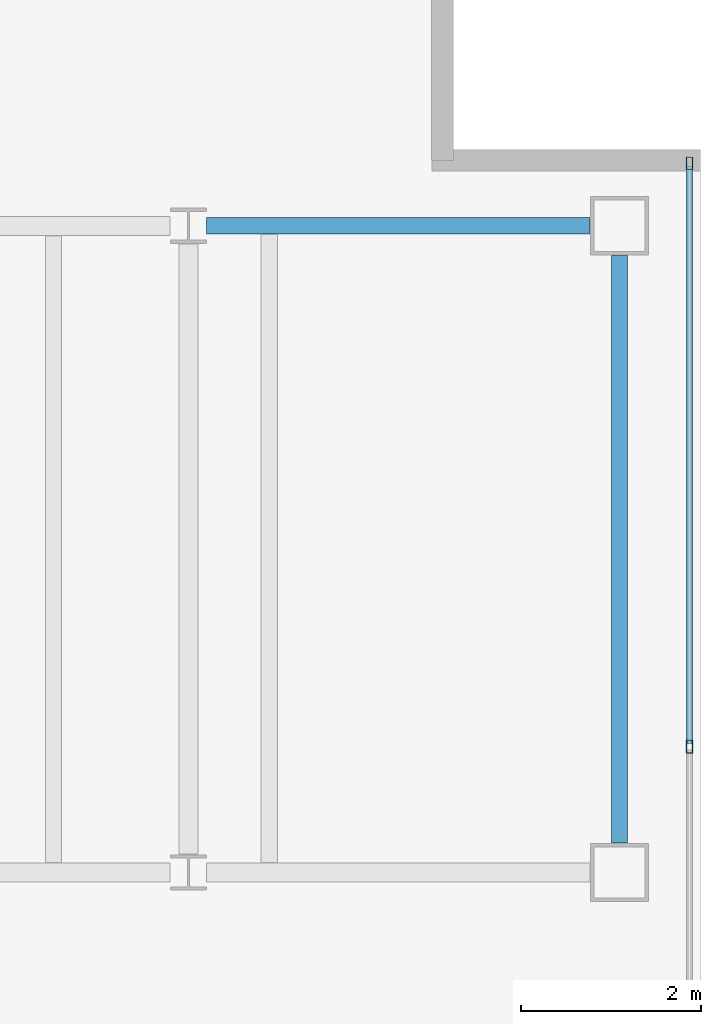
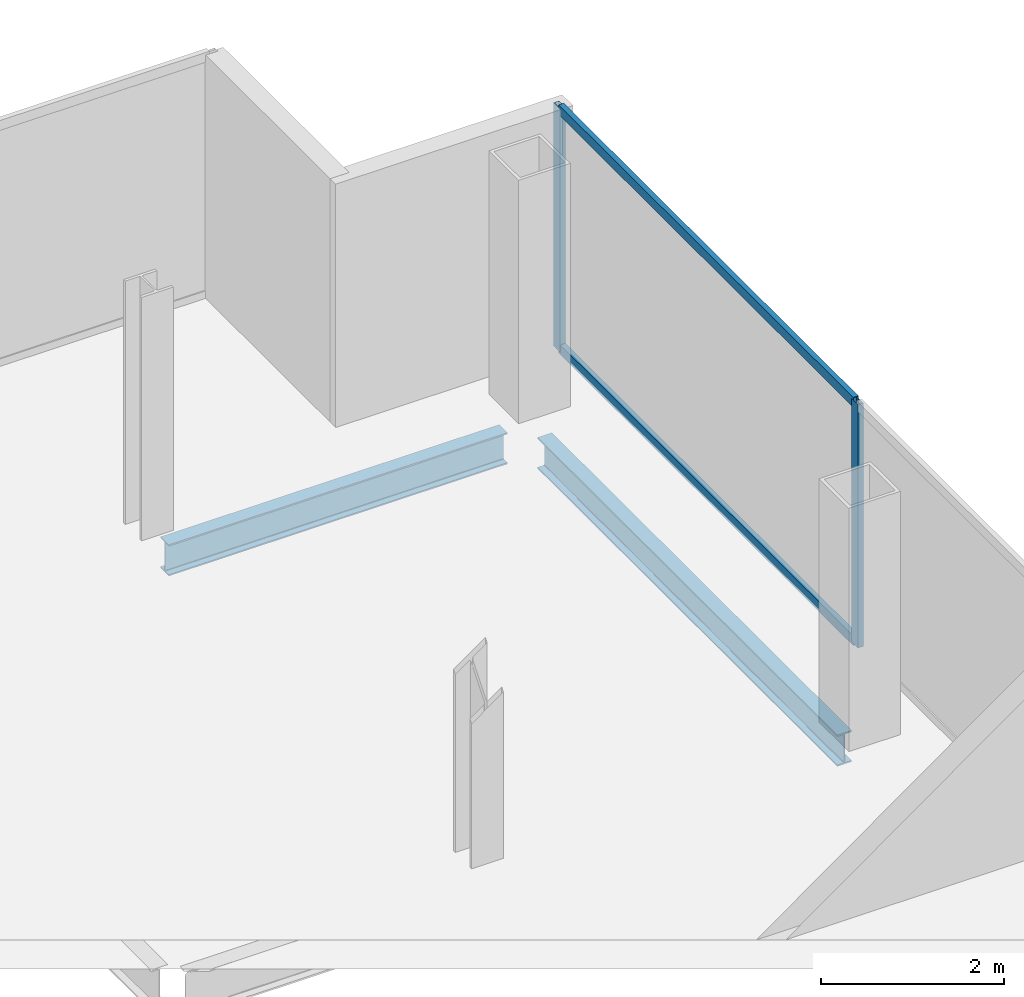
# One storey, part 16 of 24: 4 members, 2 beams, 1 element without a shape of its own.
"""IFC4 building model written with IfcOpenShell, lengths in metres."""

from ifc_helpers import new_model, si_unit, direction, frame, origin, origin_2d, place, context, subcontext, project, spatial, hollow_rectangle, i_section, extrude, material, material_profile, profile_set, type_object, element, aggregate, save


model = new_model("IFC4")

# Units and contexts
model_context = context("Model", 3, precision=1e-05, world=origin(), true_north=direction((0.0, 1.0)))
body_context = subcontext(model_context, "Body", "Model", "MODEL_VIEW")
ifc_project = project(units=[si_unit("LENGTHUNIT", "METRE"), si_unit("AREAUNIT", "SQUARE_METRE"), si_unit("VOLUMEUNIT", "CUBIC_METRE"), si_unit("PLANEANGLEUNIT", "RADIAN"), si_unit("MASSUNIT", "GRAM", prefix="KILO")], contexts=[model_context])

# Site, building, storey
site_placement = place(None, origin())
site = spatial("IfcSite", under=ifc_project, at=site_placement, CompositionType="ELEMENT")
building_placement = place(site_placement, origin())
building = spatial("IfcBuilding", under=site, at=building_placement, Name="Cobrela Telecom Tower", CompositionType="ELEMENT")
storey_placement = place(building_placement, frame((0.0, 0.0, 244.64990234375)))
storey = spatial("IfcBuildingStorey", under=building, at=storey_placement, Name="L63", CompositionType="ELEMENT", Elevation=244.64990234375)

# Beams
ifc_material_1 = material(Name="Steel ASTM A992 Grade 50", Category="steel")
ifc_material_profile_1 = material_profile(ifc_material_1, i_section(OverallWidth=0.179931640625, OverallDepth=0.4169921875, WebThickness=0.010986328125, FlangeThickness=0.01806640625, FilletRadius=0.011962890625, at=origin_2d()), Name="W16X57")
ifc_profile_set_1 = profile_set([ifc_material_profile_1], Name="Steel ASTM A992 Grade 50")
beam_type = type_object("IfcBeamType", Name="BM-SPAND-06", PredefinedType="SPANDREL", material=ifc_profile_set_1)
beam_1_placement = place(storey_placement, frame((40.1044921875, 21.60009765625, -0.468505859375), z_axis=(1.0, 0.0, 0.0), x_axis=(0.0, 1.0, 0.0)))
element("IfcBeam", 1, at=beam_1_placement, inside=storey, type_object=beam_type, Name="L63 Perimeter Spandrel X14", PredefinedType="SPANDREL", context=body_context, shape_type="SweptSolid", body=[
    extrude(i_section(OverallWidth=0.179931640625, OverallDepth=0.4169921875, WebThickness=0.010986328125, FlangeThickness=0.01806640625, FilletRadius=0.011962890625, at=origin_2d()), origin(), (0.0, 0.0, 1.0), 4.265625),
])
beam_2_placement = place(storey_placement, frame((44.699951171875, 14.72998046875, -0.468505859375), z_axis=(0.0, 1.0, 0.0), x_axis=(-1.0, 0.0, 0.0)))
element("IfcBeam", 2, at=beam_2_placement, inside=storey, type_object=beam_type, Name="L63 Perimeter Spandrel Y34", PredefinedType="SPANDREL", context=body_context, shape_type="SweptSolid", body=[
    extrude(i_section(OverallWidth=0.179931640625, OverallDepth=0.4169921875, WebThickness=0.010986328125, FlangeThickness=0.01806640625, FilletRadius=0.011962890625, at=origin_2d()), origin(), (0.0, 0.0, 1.0), 6.5400390625),
])

# Curtain wall, members
ifc_material_2 = material(Name="Anodized Bronze Aluminium 6063-T6", Category="aluminium")
curtain_wall_type = type_object("IfcCurtainWallType", Name="CW-SYS-OFF-HI", PredefinedType="USERDEFINED", material=ifc_material_2)
curtain_wall_placement = place(storey_placement, origin())
curtain_wall = element("IfcCurtainWall", 3, at=curtain_wall_placement, inside=storey, type_object=curtain_wall_type, Name="L63 Unitised Bronze Curtain Wall 12", ObjectType="UNITISED CURTAIN WALL", PredefinedType="USERDEFINED")
ifc_material_profile_2 = material_profile(ifc_material_2, hollow_rectangle(XDim=0.070068359375, YDim=0.139892578125, WallThickness=0.00390625, at=origin_2d()), Name="ALU 70x140x4")
ifc_profile_set_2 = profile_set([ifc_material_profile_2], Name="Anodized Bronze Aluminium 6063-T6")
member_type_1 = type_object("IfcMemberType", Name="CW-SYS-OFF-HI-MUL", PredefinedType="MULLION", material=ifc_profile_set_2)
member_1_placement = place(storey_placement, frame((45.47998046875, 22.294921875, 0.0), z_axis=(0.0, 0.0, 1.0), x_axis=(1.0, 0.0, 0.0)))
member_1 = element("IfcMember", 4, at=member_1_placement, type_object=member_type_1, Name="CW-OFF-HI mullion 1", PredefinedType="MULLION", context=body_context, shape_type="SweptSolid", body=[
    extrude(hollow_rectangle(XDim=0.070068359375, YDim=0.139892578125, WallThickness=0.00390625, at=origin_2d()), origin(), (0.0, 0.0, 1.0), 3.239990234375),
])
member_2_placement = place(storey_placement, frame((45.47998046875, 15.800048828125, 0.0), z_axis=(0.0, 0.0, 1.0), x_axis=(1.0, 0.0, 0.0)))
member_2 = element("IfcMember", 5, at=member_2_placement, type_object=member_type_1, Name="CW-OFF-HI mullion 2", PredefinedType="MULLION", context=body_context, shape_type="SweptSolid", body=[
    extrude(hollow_rectangle(XDim=0.070068359375, YDim=0.139892578125, WallThickness=0.00390625, at=origin_2d()), origin(), (0.0, 0.0, 1.0), 3.239990234375),
])
ifc_material_profile_3 = material_profile(ifc_material_2, hollow_rectangle(XDim=0.06494140625, YDim=0.1298828125, WallThickness=0.00390625, at=origin_2d()), Name="ALU 65x130x4")
ifc_profile_set_3 = profile_set([ifc_material_profile_3], Name="Anodized Bronze Aluminium 6063-T6")
member_type_2 = type_object("IfcMemberType", Name="CW-SYS-OFF-HI-TRN", PredefinedType="USERDEFINED", material=ifc_profile_set_3)
member_3_placement = place(storey_placement, frame((45.47998046875, 22.260009765625, 0.03271484375), z_axis=(0.0, -1.0, 0.0), x_axis=(1.0, 0.0, 0.0)))
member_3 = element("IfcMember", 6, at=member_3_placement, type_object=member_type_2, Name="CW-OFF-HI transom 1.1", ObjectType="TRANSOM", PredefinedType="USERDEFINED", context=body_context, shape_type="SweptSolid", body=[
    extrude(hollow_rectangle(XDim=0.06494140625, YDim=0.1298828125, WallThickness=0.00390625, at=origin_2d()), origin(), (0.0, 0.0, 1.0), 6.425048828125),
])
member_4_placement = place(storey_placement, frame((45.47998046875, 22.260009765625, 3.20751953125), z_axis=(0.0, -1.0, 0.0), x_axis=(1.0, 0.0, 0.0)))
member_4 = element("IfcMember", 7, at=member_4_placement, type_object=member_type_2, Name="CW-OFF-HI transom 1.2", ObjectType="TRANSOM", PredefinedType="USERDEFINED", context=body_context, shape_type="SweptSolid", body=[
    extrude(hollow_rectangle(XDim=0.06494140625, YDim=0.1298828125, WallThickness=0.00390625, at=origin_2d()), origin(), (0.0, 0.0, 1.0), 6.425048828125),
])
aggregate(curtain_wall, [member_1, member_2, member_3, member_4])

save(model, "model.ifc")
